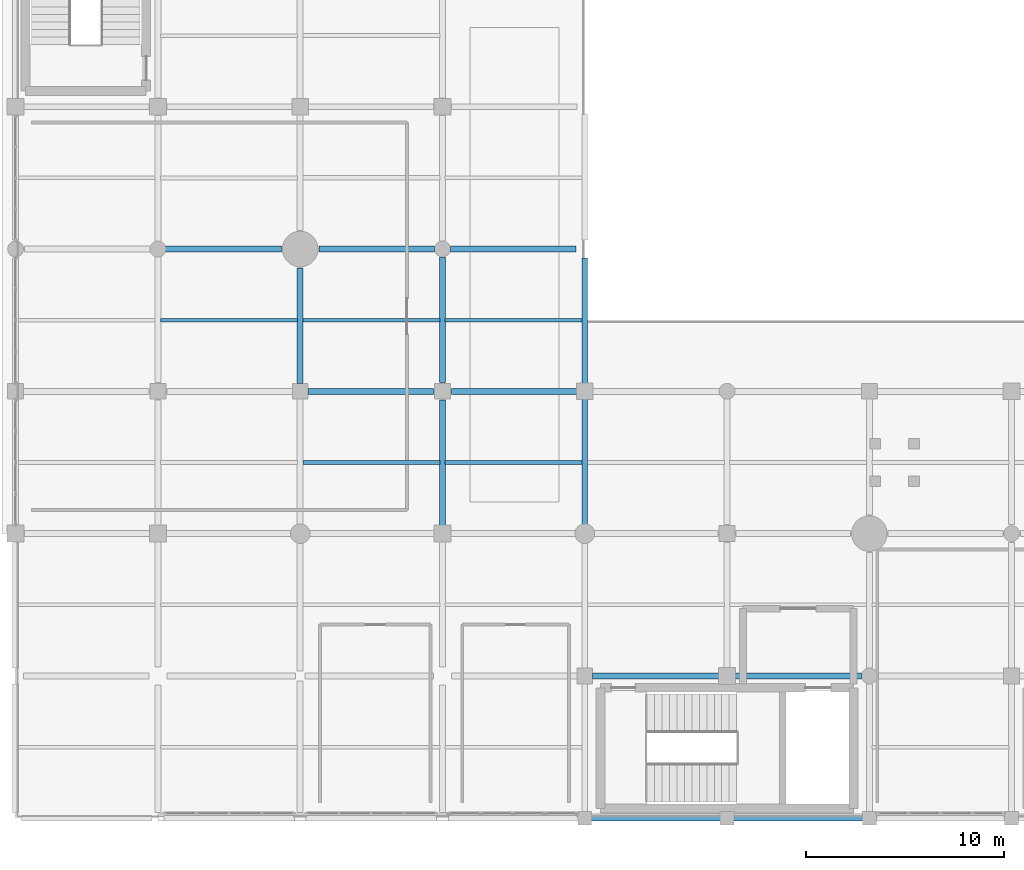
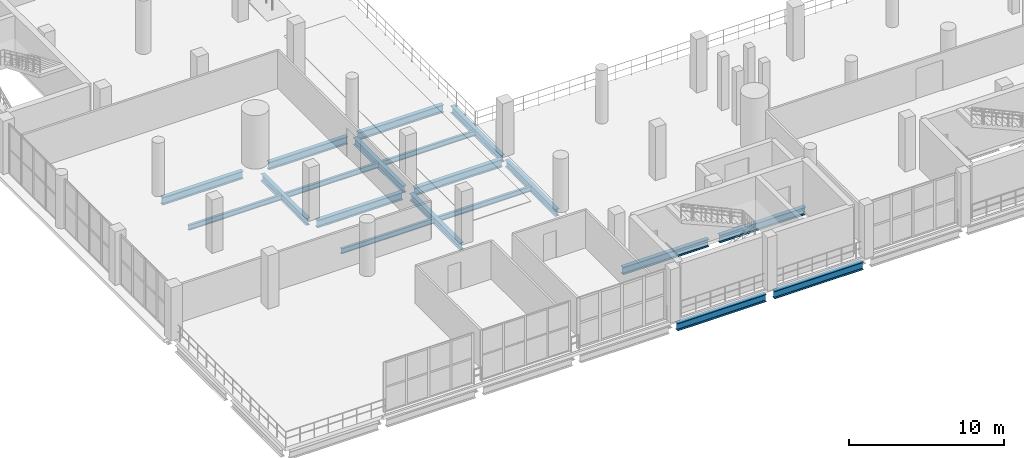
# One storey, part 14 of 153: 19 beams.
"""IFC4 building model written with IfcOpenShell, lengths in metres."""

from ifc_helpers import new_model, si_unit, direction, frame, origin, origin_2d, place, context, subcontext, project, spatial, i_section, extrude, material, material_profile, profile_set, type_object, element, save


model = new_model("IFC4")

# Units and contexts
model_context = context("Model", 3, precision=1e-05, world=origin(), true_north=direction((0.0, 1.0)))
body_context = subcontext(model_context, "Body", "Model", "MODEL_VIEW")
ifc_project = project(units=[si_unit("LENGTHUNIT", "METRE"), si_unit("AREAUNIT", "SQUARE_METRE"), si_unit("VOLUMEUNIT", "CUBIC_METRE"), si_unit("PLANEANGLEUNIT", "RADIAN"), si_unit("MASSUNIT", "GRAM", prefix="KILO")], contexts=[model_context])

# Site, building, storey
site_placement = place(None, origin())
site = spatial("IfcSite", under=ifc_project, at=site_placement, CompositionType="ELEMENT")
building_placement = place(site_placement, origin())
building = spatial("IfcBuilding", under=site, at=building_placement, Name="Qandorah Velis Arena", CompositionType="ELEMENT")
storey_placement = place(building_placement, frame((0.0, 0.0, 5.39990234375)))
storey = spatial("IfcBuildingStorey", under=building, at=storey_placement, Name="L01", CompositionType="ELEMENT", Elevation=5.39990234375)

# Beams
ifc_material = material(Name="Steel S355", Category="steel")
ifc_material_profile_1 = material_profile(ifc_material, i_section(OverallWidth=0.300048828125, OverallDepth=0.550048828125, WebThickness=0.014892578125, FlangeThickness=0.029052734375, FilletRadius=0.027099609375, at=origin_2d()), Name="HEB 550")
ifc_profile_set_1 = profile_set([ifc_material_profile_1], Name="Steel S355")
beam_type_1 = type_object("IfcBeamType", Name="STR-BM-HEB550", PredefinedType="BEAM", material=ifc_profile_set_1)
beam_1_placement = place(storey_placement, frame((14.39990234375, 22.0, -0.635009765625), z_axis=(0.0, 1.0, 0.0), x_axis=(-1.0, 0.0, 0.0)))
element("IfcBeam", 1, at=beam_1_placement, inside=storey, type_object=beam_type_1, Name="Primary floor girder L01 Y-259", PredefinedType="BEAM", context=body_context, shape_type="SweptSolid", body=[
    extrude(i_section(OverallWidth=0.300048828125, OverallDepth=0.550048828125, WebThickness=0.014892578125, FlangeThickness=0.029052734375, FilletRadius=0.027099609375, at=origin_2d()), origin(), (0.0, 0.0, 1.0), 5.85009765625),
])
beam_2_placement = place(storey_placement, frame((21.60009765625, 14.64990234375, -0.635009765625), z_axis=(0.0, 1.0, 0.0), x_axis=(-1.0, 0.0, 0.0)))
element("IfcBeam", 2, at=beam_2_placement, inside=storey, type_object=beam_type_1, Name="Primary floor girder L01 Y-276", PredefinedType="BEAM", context=body_context, shape_type="SweptSolid", body=[
    extrude(i_section(OverallWidth=0.300048828125, OverallDepth=0.550048828125, WebThickness=0.014892578125, FlangeThickness=0.029052734375, FilletRadius=0.027099609375, at=origin_2d()), origin(), (0.0, 0.0, 1.0), 6.5),
])
beam_3_placement = place(storey_placement, frame((21.60009765625, 22.050048828125, -0.635009765625), z_axis=(0.0, 1.0, 0.0), x_axis=(-1.0, 0.0, 0.0)))
element("IfcBeam", 3, at=beam_3_placement, inside=storey, type_object=beam_type_1, Name="Primary floor girder L01 Y-277", PredefinedType="BEAM", context=body_context, shape_type="SweptSolid", body=[
    extrude(i_section(OverallWidth=0.300048828125, OverallDepth=0.550048828125, WebThickness=0.014892578125, FlangeThickness=0.029052734375, FilletRadius=0.027099609375, at=origin_2d()), origin(), (0.0, 0.0, 1.0), 6.349853515625),
])
for number, where, z_axis, x_axis, name in (
    (4, (28.800048828125, 14.85009765625, -0.635009765625), (0.0, 1.0, 0.0), (-1.0, 0.0, 0.0), "Primary floor girder L01 Y-294"),
    (5, (28.800048828125, 21.85009765625, -0.635009765625), (0.0, 1.0, 0.0), (-1.0, 0.0, 0.0), "Primary floor girder L01 Y-295"),
):
    element("IfcBeam", number, at=place(storey_placement, frame(where, z_axis=z_axis, x_axis=x_axis)), inside=storey, type_object=beam_type_1, Name=name, PredefinedType="BEAM", context=body_context, shape_type="SweptSolid", body=[
        extrude(i_section(OverallWidth=0.300048828125, OverallDepth=0.550048828125, WebThickness=0.014892578125, FlangeThickness=0.029052734375, FilletRadius=0.027099609375, at=origin_2d()), origin(), (0.0, 0.0, 1.0), 6.5),
    ])
ifc_material_profile_2 = material_profile(ifc_material, i_section(OverallWidth=0.300048828125, OverallDepth=0.60009765625, WebThickness=0.015380859375, FlangeThickness=0.030029296875, FilletRadius=0.027099609375, at=origin_2d()), Name="HEB 600")
ifc_profile_set_2 = profile_set([ifc_material_profile_2], Name="Steel S355")
beam_type_2 = type_object("IfcBeamType", Name="STR-BM-HEB600", PredefinedType="BEAM", material=ifc_profile_set_2)
for number, where, z_axis, x_axis, name in (
    (6, (29.10009765625, 0.0, -0.659912109375), (1.0, 0.0, 0.0), (0.0, 1.0, 0.0), "Primary floor girder L01 X-005"),
    (7, (36.300048828125, 0.0, -0.659912109375), (1.0, 0.0, 0.0), (0.0, 1.0, 0.0), "Primary floor girder L01 X-006"),
):
    element("IfcBeam", number, at=place(storey_placement, frame(where, z_axis=z_axis, x_axis=x_axis)), inside=storey, type_object=beam_type_2, Name=name, PredefinedType="BEAM", context=body_context, shape_type="SweptSolid", body=[
        extrude(i_section(OverallWidth=0.300048828125, OverallDepth=0.60009765625, WebThickness=0.015380859375, FlangeThickness=0.030029296875, FilletRadius=0.027099609375, at=origin_2d()), origin(), (0.0, 0.0, 1.0), 6.599853515625),
    ])
for number, where, z_axis, x_axis, name in (
    (8, (29.199951171875, 7.199951171875, -0.659912109375), (1.0, 0.0, 0.0), (0.0, 1.0, 0.0), "Primary floor girder L01 X-021"),
    (9, (36.39990234375, 7.199951171875, -0.659912109375), (1.0, 0.0, 0.0), (0.0, 1.0, 0.0), "Primary floor girder L01 X-022"),
):
    element("IfcBeam", number, at=place(storey_placement, frame(where, z_axis=z_axis, x_axis=x_axis)), inside=storey, type_object=beam_type_2, Name=name, PredefinedType="BEAM", context=body_context, shape_type="SweptSolid", body=[
        extrude(i_section(OverallWidth=0.300048828125, OverallDepth=0.60009765625, WebThickness=0.015380859375, FlangeThickness=0.030029296875, FilletRadius=0.027099609375, at=origin_2d()), origin(), (0.0, 0.0, 1.0), 6.400146484375),
    ])
beam_4_placement = place(storey_placement, frame((14.800048828125, 21.60009765625, -0.659912109375), z_axis=(1.0, 0.0, 0.0), x_axis=(0.0, 1.0, 0.0)))
element("IfcBeam", 10, at=beam_4_placement, inside=storey, type_object=beam_type_2, Name="Primary floor girder L01 X-051", PredefinedType="BEAM", context=body_context, shape_type="SweptSolid", body=[
    extrude(i_section(OverallWidth=0.300048828125, OverallDepth=0.60009765625, WebThickness=0.015380859375, FlangeThickness=0.030029296875, FilletRadius=0.027099609375, at=origin_2d()), origin(), (0.0, 0.0, 1.0), 6.349853515625),
])
beam_5_placement = place(storey_placement, frame((22.050048828125, 21.60009765625, -0.659912109375), z_axis=(1.0, 0.0, 0.0), x_axis=(0.0, 1.0, 0.0)))
element("IfcBeam", 11, at=beam_5_placement, inside=storey, type_object=beam_type_2, Name="Primary floor girder L01 X-052", PredefinedType="BEAM", context=body_context, shape_type="SweptSolid", body=[
    extrude(i_section(OverallWidth=0.300048828125, OverallDepth=0.60009765625, WebThickness=0.015380859375, FlangeThickness=0.030029296875, FilletRadius=0.027099609375, at=origin_2d()), origin(), (0.0, 0.0, 1.0), 6.5),
])
beam_6_placement = place(storey_placement, frame((7.449951171875, 28.800048828125, -0.659912109375), z_axis=(1.0, 0.0, 0.0), x_axis=(0.0, 1.0, 0.0)))
element("IfcBeam", 12, at=beam_6_placement, inside=storey, type_object=beam_type_2, Name="Primary floor girder L01 X-066", PredefinedType="BEAM", context=body_context, shape_type="SweptSolid", body=[
    extrude(i_section(OverallWidth=0.300048828125, OverallDepth=0.60009765625, WebThickness=0.015380859375, FlangeThickness=0.030029296875, FilletRadius=0.027099609375, at=origin_2d()), origin(), (0.0, 0.0, 1.0), 6.0),
])
beam_7_placement = place(storey_placement, frame((15.35009765625, 28.800048828125, -0.659912109375), z_axis=(1.0, 0.0, 0.0), x_axis=(0.0, 1.0, 0.0)))
element("IfcBeam", 13, at=beam_7_placement, inside=storey, type_object=beam_type_2, Name="Primary floor girder L01 X-067", PredefinedType="BEAM", context=body_context, shape_type="SweptSolid", body=[
    extrude(i_section(OverallWidth=0.300048828125, OverallDepth=0.60009765625, WebThickness=0.015380859375, FlangeThickness=0.030029296875, FilletRadius=0.027099609375, at=origin_2d()), origin(), (0.0, 0.0, 1.0), 5.849853515625),
])
beam_8_placement = place(storey_placement, frame((22.0, 28.800048828125, -0.659912109375), z_axis=(1.0, 0.0, 0.0), x_axis=(0.0, 1.0, 0.0)))
element("IfcBeam", 14, at=beam_8_placement, inside=storey, type_object=beam_type_2, Name="Primary floor girder L01 X-068", PredefinedType="BEAM", context=body_context, shape_type="SweptSolid", body=[
    extrude(i_section(OverallWidth=0.300048828125, OverallDepth=0.60009765625, WebThickness=0.015380859375, FlangeThickness=0.030029296875, FilletRadius=0.027099609375, at=origin_2d()), origin(), (0.0, 0.0, 1.0), 6.35009765625),
])
ifc_material_profile_3 = material_profile(ifc_material, i_section(OverallWidth=0.179931640625, OverallDepth=0.39990234375, WebThickness=0.008544921875, FlangeThickness=0.013427734375, FilletRadius=0.02099609375, at=origin_2d()), Name="IPE 400")
ifc_profile_set_3 = profile_set([ifc_material_profile_3], Name="Steel S355")
beam_type_3 = type_object("IfcBeamType", Name="STR-JST-IPE400", PredefinedType="JOIST", material=ifc_profile_set_3)
beam_9_placement = place(storey_placement, frame((7.3349609375, 25.199951171875, -0.559814453125), z_axis=(1.0, 0.0, 0.0), x_axis=(0.0, 1.0, 0.0)))
element("IfcBeam", 15, at=beam_9_placement, inside=storey, type_object=beam_type_3, Name="Secondary floor joist L01-018", PredefinedType="JOIST", context=body_context, shape_type="SweptSolid", body=[
    extrude(i_section(OverallWidth=0.179931640625, OverallDepth=0.39990234375, WebThickness=0.008544921875, FlangeThickness=0.013427734375, FilletRadius=0.02099609375, at=origin_2d()), origin(), (0.0, 0.0, 1.0), 6.929931640625),
])
for number, where, z_axis, x_axis, name in (
    (16, (14.534912109375, 18.0, -0.559814453125), (1.0, 0.0, 0.0), (0.0, 1.0, 0.0), "Secondary floor joist L01-035"),
    (17, (14.534912109375, 25.199951171875, -0.559814453125), (1.0, 0.0, 0.0), (0.0, 1.0, 0.0), "Secondary floor joist L01-036"),
):
    element("IfcBeam", number, at=place(storey_placement, frame(where, z_axis=z_axis, x_axis=x_axis)), inside=storey, type_object=beam_type_3, Name=name, PredefinedType="JOIST", context=body_context, shape_type="SweptSolid", body=[
        extrude(i_section(OverallWidth=0.179931640625, OverallDepth=0.39990234375, WebThickness=0.008544921875, FlangeThickness=0.013427734375, FilletRadius=0.02099609375, at=origin_2d()), origin(), (0.0, 0.0, 1.0), 6.93017578125),
    ])
for number, where, z_axis, x_axis, name in (
    (18, (21.735107421875, 18.0, -0.559814453125), (1.0, 0.0, 0.0), (0.0, 1.0, 0.0), "Secondary floor joist L01-053"),
    (19, (21.735107421875, 25.199951171875, -0.559814453125), (1.0, 0.0, 0.0), (0.0, 1.0, 0.0), "Secondary floor joist L01-054"),
):
    element("IfcBeam", number, at=place(storey_placement, frame(where, z_axis=z_axis, x_axis=x_axis)), inside=storey, type_object=beam_type_3, Name=name, PredefinedType="JOIST", context=body_context, shape_type="SweptSolid", body=[
        extrude(i_section(OverallWidth=0.179931640625, OverallDepth=0.39990234375, WebThickness=0.008544921875, FlangeThickness=0.013427734375, FilletRadius=0.02099609375, at=origin_2d()), origin(), (0.0, 0.0, 1.0), 6.929931640625),
    ])

save(model, "model.ifc")
